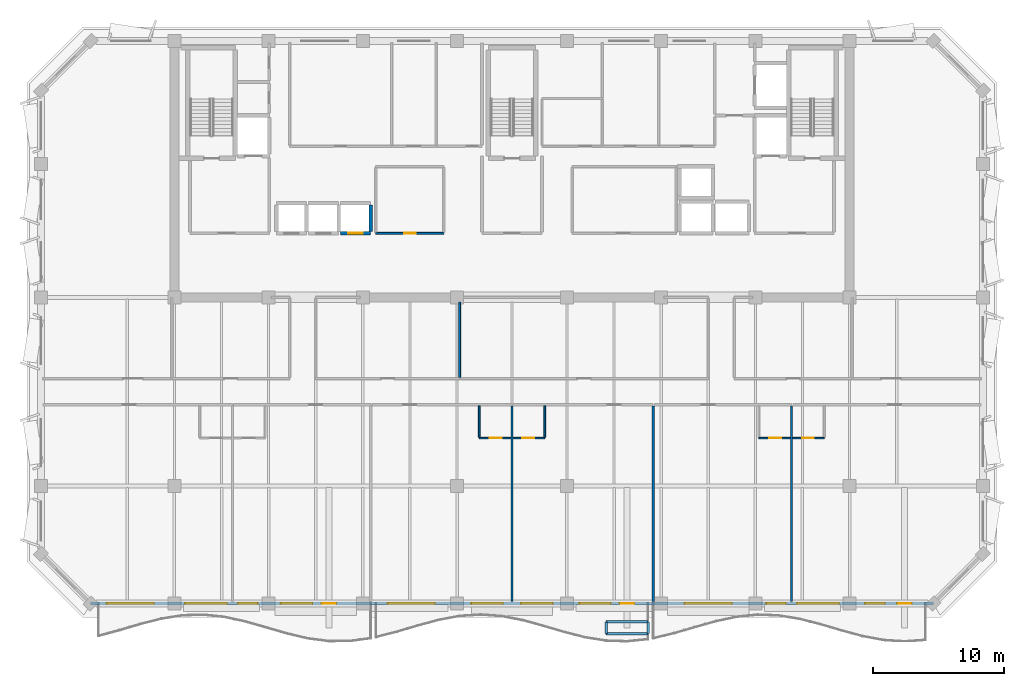
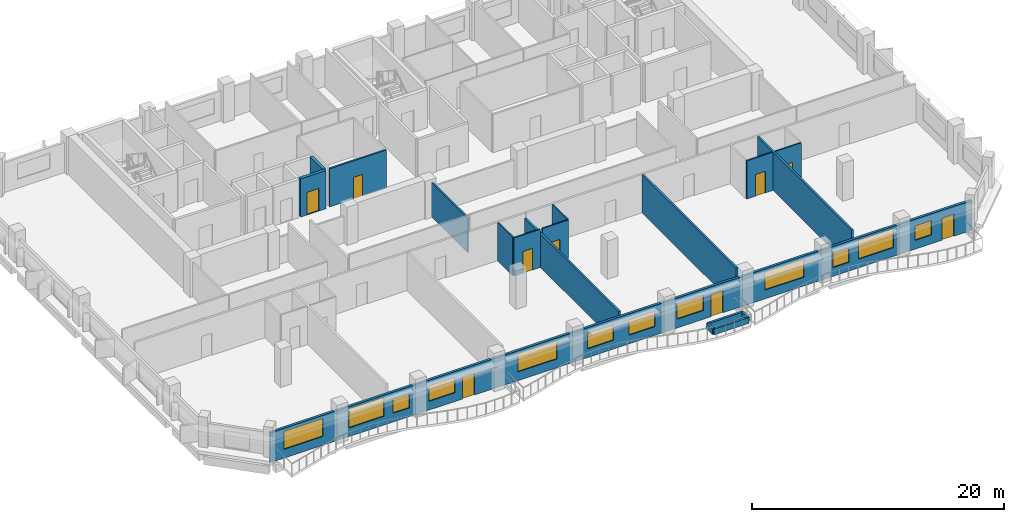
# One storey, part 4 of 10: 18 walls, 12 windows, 9 doors, 21 openings.
"""IFC4 building model written with IfcOpenShell, lengths in metres."""

from ifc_helpers import new_model, si_unit, direction, frame, frame_2d, origin, place, context, subcontext, project, spatial, rectangle, extrude, material, layer, layer_set, type_object, element, fill, save


model = new_model("IFC4")

# Units and contexts
model_context = context("Model", 3, precision=1e-05, world=origin(), true_north=direction((0.0, 1.0)))
body_context = subcontext(model_context, "Body", "Model", "MODEL_VIEW")
ifc_project = project(units=[si_unit("LENGTHUNIT", "METRE"), si_unit("AREAUNIT", "SQUARE_METRE"), si_unit("VOLUMEUNIT", "CUBIC_METRE"), si_unit("PLANEANGLEUNIT", "RADIAN"), si_unit("MASSUNIT", "GRAM", prefix="KILO")], contexts=[model_context])

# Site, building, storey
site_placement = place(None, origin())
site = spatial("IfcSite", under=ifc_project, at=site_placement, CompositionType="ELEMENT")
building_placement = place(site_placement, origin())
building = spatial("IfcBuilding", under=site, at=building_placement, Name="Kaelvorn Grand Hotel", CompositionType="ELEMENT")
storey_placement = place(building_placement, frame((0.0, 0.0, 264.699951171875)))
storey = spatial("IfcBuildingStorey", under=building, at=storey_placement, Name="L65", CompositionType="ELEMENT", Elevation=264.699951171875)

# Wall, openings, doors, windows
ifc_material_1 = material(Name="Concrete C40/50", Category="concrete")
ifc_layer_1 = layer(ifc_material_1, 0.219970703125)
ifc_layer_set_1 = layer_set([ifc_layer_1], Name="Concrete C40/50")
wall_type_1 = type_object("IfcWallType", Name="WL-EXT-220-C40", PredefinedType="SOLIDWALL", material=ifc_layer_set_1)
wall_1_placement = place(storey_placement, frame((9.800048828125, 6.0, 0.0), z_axis=(0.0, 0.0, 1.0), x_axis=(1.0, 0.0, 0.0)))
wall_1 = element("IfcWall", 1, at=wall_1_placement, inside=storey, type_object=wall_type_1, Name="L65 Exterior Architectural Concrete Wall 01", PredefinedType="SOLIDWALL", context=body_context, shape_type="SweptSolid", body=[
    extrude(rectangle(XDim=64.39990234375, YDim=0.219970703125, at=frame_2d((32.199951171875, 0.0))), origin(), (0.0, 0.0, 1.0), 2.91015625),
])
opening_1_placement = place(wall_1_placement, frame((17.64990234375, 0.0, 0.0)))
opening_1 = element("IfcOpeningElement", 2, at=opening_1_placement, cuts=wall_1, Name="Opening DE2", PredefinedType="OPENING", context=body_context, shape_type="SweptSolid", body=[
    extrude(rectangle(XDim=1.10009765625, YDim=2.14990234375, at=frame_2d((0.550048828125, 1.074951171875))), frame((0.0, 0.1201171875, 0.0), z_axis=(0.0, -1.0, 0.0), x_axis=(1.0, 0.0, 0.0)), (0.0, 0.0, 1.0), 0.239990234375),
])
opening_2_placement = place(wall_1_placement, frame((40.449951171875, 0.0, 0.0)))
opening_2 = element("IfcOpeningElement", 3, at=opening_2_placement, cuts=wall_1, Name="Opening DE2", PredefinedType="OPENING", context=body_context, shape_type="SweptSolid", body=[
    extrude(rectangle(XDim=1.10009765625, YDim=2.14990234375, at=frame_2d((0.550048828125, 1.074951171875))), frame((0.0, 0.1201171875, 0.0), z_axis=(0.0, -1.0, 0.0), x_axis=(1.0, 0.0, 0.0)), (0.0, 0.0, 1.0), 0.239990234375),
])
opening_3_placement = place(wall_1_placement, frame((61.64990234375, 0.0, 0.0)))
opening_3 = element("IfcOpeningElement", 4, at=opening_3_placement, cuts=wall_1, Name="Opening DE2", PredefinedType="OPENING", context=body_context, shape_type="SweptSolid", body=[
    extrude(rectangle(XDim=1.10009765625, YDim=2.14990234375, at=frame_2d((0.550048828125, 1.074951171875))), frame((0.0, 0.1201171875, 0.0), z_axis=(0.0, -1.0, 0.0), x_axis=(1.0, 0.0, 0.0)), (0.0, 0.0, 1.0), 0.239990234375),
])
opening_4_placement = place(wall_1_placement, frame((1.235107421875, 0.0, 0.85009765625)))
opening_4 = element("IfcOpeningElement", 5, at=opening_4_placement, cuts=wall_1, Name="Opening W3", PredefinedType="OPENING", context=body_context, shape_type="SweptSolid", body=[
    extrude(rectangle(XDim=3.60009765625, YDim=1.75, at=frame_2d((1.800048828125, 0.875))), frame((0.0, 0.1201171875, 0.0), z_axis=(0.0, -1.0, 0.0), x_axis=(1.0, 0.0, 0.0)), (0.0, 0.0, 1.0), 0.239990234375),
])
opening_5_placement = place(wall_1_placement, frame((7.216552734375, 0.0, 0.85009765625)))
opening_5 = element("IfcOpeningElement", 6, at=opening_5_placement, cuts=wall_1, Name="Opening W4", PredefinedType="OPENING", context=body_context, shape_type="SweptSolid", body=[
    extrude(rectangle(XDim=3.199951171875, YDim=1.85009765625, at=frame_2d((1.60009765625, 0.925048828125))), frame((0.0, 0.1201171875, 0.0), z_axis=(0.0, -1.0, 0.0), x_axis=(1.0, 0.0, 0.0)), (0.0, 0.0, 1.0), 0.239990234375),
])
opening_6_placement = place(wall_1_placement, frame((11.2666015625, 0.0, 0.85009765625)))
opening_6 = element("IfcOpeningElement", 7, at=opening_6_placement, cuts=wall_1, Name="Opening W10", PredefinedType="OPENING", context=body_context, shape_type="SweptSolid", body=[
    extrude(rectangle(XDim=1.5, YDim=1.39990234375, at=frame_2d((0.75, 0.699951171875))), frame((0.0, 0.1201171875, 0.0), z_axis=(0.0, -1.0, 0.0), x_axis=(1.0, 0.0, 0.0)), (0.0, 0.0, 1.0), 0.239990234375),
])
opening_7_placement = place(wall_1_placement, frame((14.5400390625, 0.0, 0.85009765625)))
opening_7 = element("IfcOpeningElement", 8, at=opening_7_placement, cuts=wall_1, Name="Opening W6", PredefinedType="OPENING", context=body_context, shape_type="SweptSolid", body=[
    extrude(rectangle(XDim=2.39990234375, YDim=1.5, at=frame_2d((1.199951171875, 0.75))), frame((0.0, 0.1201171875, 0.0), z_axis=(0.0, -1.0, 0.0), x_axis=(1.0, 0.0, 0.0)), (0.0, 0.0, 1.0), 0.239990234375),
])
opening_8_placement = place(wall_1_placement, frame((22.70849609375, 0.0, 0.85009765625)))
opening_8 = element("IfcOpeningElement", 9, at=opening_8_placement, cuts=wall_1, Name="Opening W3", PredefinedType="OPENING", context=body_context, shape_type="SweptSolid", body=[
    extrude(rectangle(XDim=3.60009765625, YDim=1.75, at=frame_2d((1.800048828125, 0.875))), frame((0.0, 0.1201171875, 0.0), z_axis=(0.0, -1.0, 0.0), x_axis=(1.0, 0.0, 0.0)), (0.0, 0.0, 1.0), 0.239990234375),
])
opening_9_placement = place(wall_1_placement, frame((29.10009765625, 0.0, 0.85009765625)))
opening_9 = element("IfcOpeningElement", 10, at=opening_9_placement, cuts=wall_1, Name="Opening W6", PredefinedType="OPENING", context=body_context, shape_type="SweptSolid", body=[
    extrude(rectangle(XDim=2.39990234375, YDim=1.5, at=frame_2d((1.199951171875, 0.75))), frame((0.0, 0.1201171875, 0.0), z_axis=(0.0, -1.0, 0.0), x_axis=(1.0, 0.0, 0.0)), (0.0, 0.0, 1.0), 0.239990234375),
])
opening_10_placement = place(wall_1_placement, frame((32.89990234375, 0.0, 0.85009765625)))
opening_10 = element("IfcOpeningElement", 11, at=opening_10_placement, cuts=wall_1, Name="Opening W6", PredefinedType="OPENING", context=body_context, shape_type="SweptSolid", body=[
    extrude(rectangle(XDim=2.39990234375, YDim=1.5, at=frame_2d((1.199951171875, 0.75))), frame((0.0, 0.1201171875, 0.0), z_axis=(0.0, -1.0, 0.0), x_axis=(1.0, 0.0, 0.0)), (0.0, 0.0, 1.0), 0.239990234375),
])
opening_11_placement = place(wall_1_placement, frame((37.340087890625, 0.0, 0.85009765625)))
opening_11 = element("IfcOpeningElement", 12, at=opening_11_placement, cuts=wall_1, Name="Opening W6", PredefinedType="OPENING", context=body_context, shape_type="SweptSolid", body=[
    extrude(rectangle(XDim=2.39990234375, YDim=1.5, at=frame_2d((1.199951171875, 0.75))), frame((0.0, 0.1201171875, 0.0), z_axis=(0.0, -1.0, 0.0), x_axis=(1.0, 0.0, 0.0)), (0.0, 0.0, 1.0), 0.239990234375),
])
opening_12_placement = place(wall_1_placement, frame((45.39990234375, 0.0, 0.85009765625)))
opening_12 = element("IfcOpeningElement", 13, at=opening_12_placement, cuts=wall_1, Name="Opening W3", PredefinedType="OPENING", context=body_context, shape_type="SweptSolid", body=[
    extrude(rectangle(XDim=3.60009765625, YDim=1.75, at=frame_2d((1.800048828125, 0.875))), frame((0.0, 0.1201171875, 0.0), z_axis=(0.0, -1.0, 0.0), x_axis=(1.0, 0.0, 0.0)), (0.0, 0.0, 1.0), 0.239990234375),
])
opening_13_placement = place(wall_1_placement, frame((51.633544921875, 0.0, 0.85009765625)))
opening_13 = element("IfcOpeningElement", 14, at=opening_13_placement, cuts=wall_1, Name="Opening W10", PredefinedType="OPENING", context=body_context, shape_type="SweptSolid", body=[
    extrude(rectangle(XDim=1.5, YDim=1.39990234375, at=frame_2d((0.75, 0.699951171875))), frame((0.0, 0.1201171875, 0.0), z_axis=(0.0, -1.0, 0.0), x_axis=(1.0, 0.0, 0.0)), (0.0, 0.0, 1.0), 0.239990234375),
])
opening_14_placement = place(wall_1_placement, frame((53.9833984375, 0.0, 0.85009765625)))
opening_14 = element("IfcOpeningElement", 15, at=opening_14_placement, cuts=wall_1, Name="Opening W4", PredefinedType="OPENING", context=body_context, shape_type="SweptSolid", body=[
    extrude(rectangle(XDim=3.199951171875, YDim=1.85009765625, at=frame_2d((1.60009765625, 0.925048828125))), frame((0.0, 0.1201171875, 0.0), z_axis=(0.0, -1.0, 0.0), x_axis=(1.0, 0.0, 0.0)), (0.0, 0.0, 1.0), 0.239990234375),
])
opening_15_placement = place(wall_1_placement, frame((59.18994140625, 0.0, 0.85009765625)))
opening_15 = element("IfcOpeningElement", 16, at=opening_15_placement, cuts=wall_1, Name="Opening W10", PredefinedType="OPENING", context=body_context, shape_type="SweptSolid", body=[
    extrude(rectangle(XDim=1.5, YDim=1.39990234375, at=frame_2d((0.75, 0.699951171875))), frame((0.0, 0.1201171875, 0.0), z_axis=(0.0, -1.0, 0.0), x_axis=(1.0, 0.0, 0.0)), (0.0, 0.0, 1.0), 0.239990234375),
])
ifc_material_2 = material(Name="Anodised Aluminium", Category="aluminium")
door_type_1 = type_object("IfcDoorType", Name="DR-EXT-BALC-1100x2150", OperationType="NOTDEFINED", PredefinedType="DOOR", material=ifc_material_2)
door_1_placement = place(opening_1_placement, origin())
door_1 = element("IfcDoor", 17, at=door_1_placement, inside=storey, type_object=door_type_1, Name="L65 Scalloped Balcony Glazed Door DE2-1", OperationType="SINGLE_SWING_RIGHT", OverallHeight=2.14990234375, OverallWidth=1.10009765625, PredefinedType="DOOR", context=body_context, shape_type="SweptSolid", body=[
    extrude(rectangle(XDim=1.10009765625, YDim=2.14990234375, at=frame_2d((0.550048828125, 1.074951171875))), frame((0.0, 0.02490234375, 0.0), z_axis=(0.0, -1.0, 0.0), x_axis=(1.0, 0.0, 0.0)), (0.0, 0.0, 1.0), 0.050048828125),
])
fill(opening_1, door_1)
door_2_placement = place(opening_2_placement, origin())
door_2 = element("IfcDoor", 18, at=door_2_placement, inside=storey, type_object=door_type_1, Name="L65 Scalloped Balcony Glazed Door DE2-2", OperationType="SINGLE_SWING_LEFT", OverallHeight=2.14990234375, OverallWidth=1.10009765625, PredefinedType="DOOR", context=body_context, shape_type="SweptSolid", body=[
    extrude(rectangle(XDim=1.10009765625, YDim=2.14990234375, at=frame_2d((0.550048828125, 1.074951171875))), frame((0.0, 0.02490234375, 0.0), z_axis=(0.0, -1.0, 0.0), x_axis=(1.0, 0.0, 0.0)), (0.0, 0.0, 1.0), 0.050048828125),
])
fill(opening_2, door_2)
door_3_placement = place(opening_3_placement, origin())
door_3 = element("IfcDoor", 19, at=door_3_placement, inside=storey, type_object=door_type_1, Name="L65 Scalloped Balcony Glazed Door DE2-3", OperationType="SINGLE_SWING_RIGHT", OverallHeight=2.14990234375, OverallWidth=1.10009765625, PredefinedType="DOOR", context=body_context, shape_type="SweptSolid", body=[
    extrude(rectangle(XDim=1.10009765625, YDim=2.14990234375, at=frame_2d((0.550048828125, 1.074951171875))), frame((0.0, 0.02490234375, 0.0), z_axis=(0.0, -1.0, 0.0), x_axis=(1.0, 0.0, 0.0)), (0.0, 0.0, 1.0), 0.050048828125),
])
fill(opening_3, door_3)
ifc_material_3 = material(Name="Laminated Low-E Glass", Category="glass")
window_type_1 = type_object("IfcWindowType", Name="WIN-COR-1500x1400", PartitioningType="SINGLE_PANEL", PredefinedType="WINDOW", material=ifc_material_3)
window_1_placement = place(opening_6_placement, origin())
window_1 = element("IfcWindow", 20, at=window_1_placement, inside=storey, type_object=window_type_1, Name="L65 South Guestroom Ribbon Window SR03", OverallHeight=1.39990234375, OverallWidth=1.5, PartitioningType="SINGLE_PANEL", PredefinedType="WINDOW", context=body_context, shape_type="SweptSolid", body=[
    extrude(rectangle(XDim=1.5, YDim=1.39990234375, at=frame_2d((0.75, 0.699951171875))), frame((0.0, 0.030029296875, 0.0), z_axis=(0.0, -1.0, 0.0), x_axis=(1.0, 0.0, 0.0)), (0.0, 0.0, 1.0), 0.06005859375),
])
fill(opening_6, window_1)
window_2_placement = place(opening_13_placement, origin())
window_2 = element("IfcWindow", 21, at=window_2_placement, inside=storey, type_object=window_type_1, Name="L65 South Guestroom Ribbon Window SR10", OverallHeight=1.39990234375, OverallWidth=1.5, PartitioningType="SINGLE_PANEL", PredefinedType="WINDOW", context=body_context, shape_type="SweptSolid", body=[
    extrude(rectangle(XDim=1.5, YDim=1.39990234375, at=frame_2d((0.75, 0.699951171875))), frame((0.0, 0.030029296875, 0.0), z_axis=(0.0, -1.0, 0.0), x_axis=(1.0, 0.0, 0.0)), (0.0, 0.0, 1.0), 0.06005859375),
])
fill(opening_13, window_2)
window_3_placement = place(opening_15_placement, origin())
window_3 = element("IfcWindow", 22, at=window_3_placement, inside=storey, type_object=window_type_1, Name="L65 South Guestroom Ribbon Window SR12", OverallHeight=1.39990234375, OverallWidth=1.5, PartitioningType="SINGLE_PANEL", PredefinedType="WINDOW", context=body_context, shape_type="SweptSolid", body=[
    extrude(rectangle(XDim=1.5, YDim=1.39990234375, at=frame_2d((0.75, 0.699951171875))), frame((0.0, 0.030029296875, 0.0), z_axis=(0.0, -1.0, 0.0), x_axis=(1.0, 0.0, 0.0)), (0.0, 0.0, 1.0), 0.06005859375),
])
fill(opening_15, window_3)
window_type_2 = type_object("IfcWindowType", Name="WIN-NTH-2400x1500", PartitioningType="SINGLE_PANEL", PredefinedType="WINDOW", material=ifc_material_3)
window_4_placement = place(opening_7_placement, origin())
window_4 = element("IfcWindow", 23, at=window_4_placement, inside=storey, type_object=window_type_2, Name="L65 South Guestroom Ribbon Window SR04", OverallHeight=1.5, OverallWidth=2.39990234375, PartitioningType="SINGLE_PANEL", PredefinedType="WINDOW", context=body_context, shape_type="SweptSolid", body=[
    extrude(rectangle(XDim=2.39990234375, YDim=1.5, at=frame_2d((1.199951171875, 0.75))), frame((0.0, 0.030029296875, 0.0), z_axis=(0.0, -1.0, 0.0), x_axis=(1.0, 0.0, 0.0)), (0.0, 0.0, 1.0), 0.06005859375),
])
fill(opening_7, window_4)
window_5_placement = place(opening_9_placement, origin())
window_5 = element("IfcWindow", 24, at=window_5_placement, inside=storey, type_object=window_type_2, Name="L65 South Guestroom Ribbon Window SR06", OverallHeight=1.5, OverallWidth=2.39990234375, PartitioningType="SINGLE_PANEL", PredefinedType="WINDOW", context=body_context, shape_type="SweptSolid", body=[
    extrude(rectangle(XDim=2.39990234375, YDim=1.5, at=frame_2d((1.199951171875, 0.75))), frame((0.0, 0.030029296875, 0.0), z_axis=(0.0, -1.0, 0.0), x_axis=(1.0, 0.0, 0.0)), (0.0, 0.0, 1.0), 0.06005859375),
])
fill(opening_9, window_5)
window_6_placement = place(opening_10_placement, origin())
window_6 = element("IfcWindow", 25, at=window_6_placement, inside=storey, type_object=window_type_2, Name="L65 South Guestroom Ribbon Window SR07", OverallHeight=1.5, OverallWidth=2.39990234375, PartitioningType="SINGLE_PANEL", PredefinedType="WINDOW", context=body_context, shape_type="SweptSolid", body=[
    extrude(rectangle(XDim=2.39990234375, YDim=1.5, at=frame_2d((1.199951171875, 0.75))), frame((0.0, 0.030029296875, 0.0), z_axis=(0.0, -1.0, 0.0), x_axis=(1.0, 0.0, 0.0)), (0.0, 0.0, 1.0), 0.06005859375),
])
fill(opening_10, window_6)
window_7_placement = place(opening_11_placement, origin())
window_7 = element("IfcWindow", 26, at=window_7_placement, inside=storey, type_object=window_type_2, Name="L65 South Guestroom Ribbon Window SR08", OverallHeight=1.5, OverallWidth=2.39990234375, PartitioningType="SINGLE_PANEL", PredefinedType="WINDOW", context=body_context, shape_type="SweptSolid", body=[
    extrude(rectangle(XDim=2.39990234375, YDim=1.5, at=frame_2d((1.199951171875, 0.75))), frame((0.0, 0.030029296875, 0.0), z_axis=(0.0, -1.0, 0.0), x_axis=(1.0, 0.0, 0.0)), (0.0, 0.0, 1.0), 0.06005859375),
])
fill(opening_11, window_7)
window_type_3 = type_object("IfcWindowType", Name="WIN-RIB-3200x1850", PartitioningType="SINGLE_PANEL", PredefinedType="WINDOW", material=ifc_material_3)
window_8_placement = place(opening_5_placement, origin())
window_8 = element("IfcWindow", 27, at=window_8_placement, inside=storey, type_object=window_type_3, Name="L65 South Guestroom Ribbon Window SR02", OverallHeight=1.85009765625, OverallWidth=3.199951171875, PartitioningType="SINGLE_PANEL", PredefinedType="WINDOW", context=body_context, shape_type="SweptSolid", body=[
    extrude(rectangle(XDim=3.199951171875, YDim=1.85009765625, at=frame_2d((1.60009765625, 0.925048828125))), frame((0.0, 0.030029296875, 0.0), z_axis=(0.0, -1.0, 0.0), x_axis=(1.0, 0.0, 0.0)), (0.0, 0.0, 1.0), 0.06005859375),
])
fill(opening_5, window_8)
window_9_placement = place(opening_14_placement, origin())
window_9 = element("IfcWindow", 28, at=window_9_placement, inside=storey, type_object=window_type_3, Name="L65 South Guestroom Ribbon Window SR11", OverallHeight=1.85009765625, OverallWidth=3.199951171875, PartitioningType="SINGLE_PANEL", PredefinedType="WINDOW", context=body_context, shape_type="SweptSolid", body=[
    extrude(rectangle(XDim=3.199951171875, YDim=1.85009765625, at=frame_2d((1.60009765625, 0.925048828125))), frame((0.0, 0.030029296875, 0.0), z_axis=(0.0, -1.0, 0.0), x_axis=(1.0, 0.0, 0.0)), (0.0, 0.0, 1.0), 0.06005859375),
])
fill(opening_14, window_9)
window_type_4 = type_object("IfcWindowType", Name="WIN-RIB-3600x1750", PartitioningType="SINGLE_PANEL", PredefinedType="WINDOW", material=ifc_material_3)
window_10_placement = place(opening_4_placement, origin())
window_10 = element("IfcWindow", 29, at=window_10_placement, inside=storey, type_object=window_type_4, Name="L65 South Guestroom Ribbon Window SR01", OverallHeight=1.75, OverallWidth=3.60009765625, PartitioningType="SINGLE_PANEL", PredefinedType="WINDOW", context=body_context, shape_type="SweptSolid", body=[
    extrude(rectangle(XDim=3.60009765625, YDim=1.75, at=frame_2d((1.800048828125, 0.875))), frame((0.0, 0.030029296875, 0.0), z_axis=(0.0, -1.0, 0.0), x_axis=(1.0, 0.0, 0.0)), (0.0, 0.0, 1.0), 0.06005859375),
])
fill(opening_4, window_10)
window_11_placement = place(opening_8_placement, origin())
window_11 = element("IfcWindow", 30, at=window_11_placement, inside=storey, type_object=window_type_4, Name="L65 South Guestroom Ribbon Window SR05", OverallHeight=1.75, OverallWidth=3.60009765625, PartitioningType="SINGLE_PANEL", PredefinedType="WINDOW", context=body_context, shape_type="SweptSolid", body=[
    extrude(rectangle(XDim=3.60009765625, YDim=1.75, at=frame_2d((1.800048828125, 0.875))), frame((0.0, 0.030029296875, 0.0), z_axis=(0.0, -1.0, 0.0), x_axis=(1.0, 0.0, 0.0)), (0.0, 0.0, 1.0), 0.06005859375),
])
fill(opening_8, window_11)
window_12_placement = place(opening_12_placement, origin())
window_12 = element("IfcWindow", 31, at=window_12_placement, inside=storey, type_object=window_type_4, Name="L65 South Guestroom Ribbon Window SR09", OverallHeight=1.75, OverallWidth=3.60009765625, PartitioningType="SINGLE_PANEL", PredefinedType="WINDOW", context=body_context, shape_type="SweptSolid", body=[
    extrude(rectangle(XDim=3.60009765625, YDim=1.75, at=frame_2d((1.800048828125, 0.875))), frame((0.0, 0.030029296875, 0.0), z_axis=(0.0, -1.0, 0.0), x_axis=(1.0, 0.0, 0.0)), (0.0, 0.0, 1.0), 0.06005859375),
])
fill(opening_12, window_12)

# Wall, opening, door
ifc_material_4 = material(Name="Moisture-Resistant Tile & Stud Board")
ifc_layer_2 = layer(ifc_material_4, 0.125)
ifc_layer_set_2 = layer_set([ifc_layer_2], Name="Moisture-Resistant Tile & Stud Board")
wall_type_2 = type_object("IfcWallType", Name="WL-PART-125-WET", PredefinedType="PARTITIONING", material=ifc_layer_set_2)
wall_2_placement = place(storey_placement, frame((39.5, 18.64990234375, 0.0), z_axis=(0.0, 0.0, 1.0), x_axis=(1.0, 0.0, 0.0)))
wall_2 = element("IfcWall", 32, at=wall_2_placement, inside=storey, type_object=wall_type_2, Name="L65 En-suite Bathroom L65-03 S Partition", PredefinedType="PARTITIONING", context=body_context, shape_type="SweptSolid", body=[
    extrude(rectangle(XDim=2.405029296875, YDim=0.125, at=frame_2d((1.20263671875, 0.0))), origin(), (0.0, 0.0, 1.0), 3.7099609375),
])
opening_16_placement = place(wall_2_placement, frame((0.800048828125, 0.0, 0.0)))
opening_16 = element("IfcOpeningElement", 33, at=opening_16_placement, cuts=wall_2, Name="Opening DI4", PredefinedType="OPENING", context=body_context, shape_type="SweptSolid", body=[
    extrude(rectangle(XDim=0.89990234375, YDim=2.10009765625, at=frame_2d((0.449951171875, 1.050048828125))), frame((0.0, 0.072509765625, 0.0), z_axis=(0.0, -1.0, 0.0), x_axis=(1.0, 0.0, 0.0)), (0.0, 0.0, 1.0), 0.14501953125),
])
ifc_material_5 = material(Name="Timber Veneer Leaf", Category="wood")
door_type_2 = type_object("IfcDoorType", Name="DR-INT-BATH-900x2100", OperationType="NOTDEFINED", PredefinedType="DOOR", material=ifc_material_5)
door_4_placement = place(opening_16_placement, origin())
door_4 = element("IfcDoor", 34, at=door_4_placement, inside=storey, type_object=door_type_2, Name="L65 En-suite Bathroom L65-03 Door", OperationType="SINGLE_SWING_LEFT", OverallHeight=2.10009765625, OverallWidth=0.89990234375, PredefinedType="DOOR", context=body_context, shape_type="SweptSolid", body=[
    extrude(rectangle(XDim=0.89990234375, YDim=2.10009765625, at=frame_2d((0.449951171875, 1.050048828125))), frame((0.0, 0.02490234375, 0.0), z_axis=(0.0, -1.0, 0.0), x_axis=(1.0, 0.0, 0.0)), (0.0, 0.0, 1.0), 0.050048828125),
])
fill(opening_16, door_4)

# Wall
wall_3_placement = place(storey_placement, frame((39.5, 18.717529296875, 0.0), z_axis=(0.0, 0.0, 1.0), x_axis=(0.0, 1.0, 0.0)))
element("IfcWall", 35, at=wall_3_placement, inside=storey, type_object=wall_type_2, Name="L65 En-suite Bathroom L65-03 W Partition", PredefinedType="PARTITIONING", context=body_context, shape_type="SweptSolid", body=[
    extrude(rectangle(XDim=2.387451171875, YDim=0.125, at=frame_2d((1.19384765625, 0.0))), origin(), (0.0, 0.0, 1.0), 3.7099609375),
])

# Wall, opening, door
wall_4_placement = place(storey_placement, frame((42.094970703125, 18.64990234375, 0.0), z_axis=(0.0, 0.0, 1.0), x_axis=(1.0, 0.0, 0.0)))
wall_4 = element("IfcWall", 36, at=wall_4_placement, inside=storey, type_object=wall_type_2, Name="L65 En-suite Bathroom L65-04 S Partition", PredefinedType="PARTITIONING", context=body_context, shape_type="SweptSolid", body=[
    extrude(rectangle(XDim=2.405029296875, YDim=0.125, at=frame_2d((1.20263671875, 0.0))), origin(), (0.0, 0.0, 1.0), 3.7099609375),
])
opening_17_placement = place(wall_4_placement, frame((0.705078125, 0.0, 0.0)))
opening_17 = element("IfcOpeningElement", 37, at=opening_17_placement, cuts=wall_4, Name="Opening DI4", PredefinedType="OPENING", context=body_context, shape_type="SweptSolid", body=[
    extrude(rectangle(XDim=0.89990234375, YDim=2.10009765625, at=frame_2d((0.449951171875, 1.050048828125))), frame((0.0, 0.072509765625, 0.0), z_axis=(0.0, -1.0, 0.0), x_axis=(1.0, 0.0, 0.0)), (0.0, 0.0, 1.0), 0.14501953125),
])
door_5_placement = place(opening_17_placement, origin())
door_5 = element("IfcDoor", 38, at=door_5_placement, inside=storey, type_object=door_type_2, Name="L65 En-suite Bathroom L65-04 Door", OperationType="SINGLE_SWING_LEFT", OverallHeight=2.10009765625, OverallWidth=0.89990234375, PredefinedType="DOOR", context=body_context, shape_type="SweptSolid", body=[
    extrude(rectangle(XDim=0.89990234375, YDim=2.10009765625, at=frame_2d((0.449951171875, 1.050048828125))), frame((0.0, 0.02490234375, 0.0), z_axis=(0.0, -1.0, 0.0), x_axis=(1.0, 0.0, 0.0)), (0.0, 0.0, 1.0), 0.050048828125),
])
fill(opening_17, door_5)

# Wall
wall_5_placement = place(storey_placement, frame((44.5, 18.717529296875, 0.0), z_axis=(0.0, 0.0, 1.0), x_axis=(0.0, 1.0, 0.0)))
element("IfcWall", 39, at=wall_5_placement, inside=storey, type_object=wall_type_2, Name="L65 En-suite Bathroom L65-04 E Partition", PredefinedType="PARTITIONING", context=body_context, shape_type="SweptSolid", body=[
    extrude(rectangle(XDim=2.387451171875, YDim=0.125, at=frame_2d((1.19384765625, 0.0))), origin(), (0.0, 0.0, 1.0), 3.7099609375),
])

# Wall, opening, door
wall_6_placement = place(storey_placement, frame((60.86669921875, 18.64990234375, 0.0), z_axis=(0.0, 0.0, 1.0), x_axis=(1.0, 0.0, 0.0)))
wall_6 = element("IfcWall", 40, at=wall_6_placement, inside=storey, type_object=wall_type_2, Name="L65 En-suite Bathroom L65-05 S Partition", PredefinedType="PARTITIONING", context=body_context, shape_type="SweptSolid", body=[
    extrude(rectangle(XDim=2.40478515625, YDim=0.125, at=frame_2d((1.202392578125, 0.0))), origin(), (0.0, 0.0, 1.0), 3.7099609375),
])
opening_18_placement = place(wall_6_placement, frame((0.800048828125, 0.0, 0.0)))
opening_18 = element("IfcOpeningElement", 41, at=opening_18_placement, cuts=wall_6, Name="Opening DI4", PredefinedType="OPENING", context=body_context, shape_type="SweptSolid", body=[
    extrude(rectangle(XDim=0.89990234375, YDim=2.10009765625, at=frame_2d((0.449951171875, 1.050048828125))), frame((0.0, 0.072509765625, 0.0), z_axis=(0.0, -1.0, 0.0), x_axis=(1.0, 0.0, 0.0)), (0.0, 0.0, 1.0), 0.14501953125),
])
door_6_placement = place(opening_18_placement, origin())
door_6 = element("IfcDoor", 42, at=door_6_placement, inside=storey, type_object=door_type_2, Name="L65 En-suite Bathroom L65-05 Door", OperationType="SINGLE_SWING_LEFT", OverallHeight=2.10009765625, OverallWidth=0.89990234375, PredefinedType="DOOR", context=body_context, shape_type="SweptSolid", body=[
    extrude(rectangle(XDim=0.89990234375, YDim=2.10009765625, at=frame_2d((0.449951171875, 1.050048828125))), frame((0.0, 0.02490234375, 0.0), z_axis=(0.0, -1.0, 0.0), x_axis=(1.0, 0.0, 0.0)), (0.0, 0.0, 1.0), 0.050048828125),
])
fill(opening_18, door_6)

wall_7_placement = place(storey_placement, frame((63.461669921875, 18.64990234375, 0.0), z_axis=(0.0, 0.0, 1.0), x_axis=(1.0, 0.0, 0.0)))
wall_7 = element("IfcWall", 43, at=wall_7_placement, inside=storey, type_object=wall_type_2, Name="L65 En-suite Bathroom L65-06 S Partition", PredefinedType="PARTITIONING", context=body_context, shape_type="SweptSolid", body=[
    extrude(rectangle(XDim=2.405029296875, YDim=0.125, at=frame_2d((1.20263671875, 0.0))), origin(), (0.0, 0.0, 1.0), 3.7099609375),
])
opening_19_placement = place(wall_7_placement, frame((0.705078125, 0.0, 0.0)))
opening_19 = element("IfcOpeningElement", 44, at=opening_19_placement, cuts=wall_7, Name="Opening DI4", PredefinedType="OPENING", context=body_context, shape_type="SweptSolid", body=[
    extrude(rectangle(XDim=0.89990234375, YDim=2.10009765625, at=frame_2d((0.449951171875, 1.050048828125))), frame((0.0, 0.072509765625, 0.0), z_axis=(0.0, -1.0, 0.0), x_axis=(1.0, 0.0, 0.0)), (0.0, 0.0, 1.0), 0.14501953125),
])
door_7_placement = place(opening_19_placement, origin())
door_7 = element("IfcDoor", 45, at=door_7_placement, inside=storey, type_object=door_type_2, Name="L65 En-suite Bathroom L65-06 Door", OperationType="SINGLE_SWING_LEFT", OverallHeight=2.10009765625, OverallWidth=0.89990234375, PredefinedType="DOOR", context=body_context, shape_type="SweptSolid", body=[
    extrude(rectangle(XDim=0.89990234375, YDim=2.10009765625, at=frame_2d((0.449951171875, 1.050048828125))), frame((0.0, 0.02490234375, 0.0), z_axis=(0.0, -1.0, 0.0), x_axis=(1.0, 0.0, 0.0)), (0.0, 0.0, 1.0), 0.050048828125),
])
fill(opening_19, door_7)

ifc_material_6 = material(Name="Acoustic Gypsum & Stud Partition")
ifc_layer_3 = layer(ifc_material_6, 0.14990234375)
ifc_layer_set_3 = layer_set([ifc_layer_3], Name="Acoustic Gypsum & Stud Partition")
wall_type_3 = type_object("IfcWallType", Name="WL-PART-150-EI60", PredefinedType="PARTITIONING", material=ifc_layer_set_3)
wall_8_placement = place(storey_placement, frame((31.60009765625, 34.300048828125, 0.0), z_axis=(0.0, 0.0, 1.0), x_axis=(1.0, 0.0, 0.0)))
wall_8 = element("IfcWall", 46, at=wall_8_placement, inside=storey, type_object=wall_type_3, Name="L65 Core Telecoms & BMS Server Room S Partition", PredefinedType="PARTITIONING", context=body_context, shape_type="SweptSolid", body=[
    extrude(rectangle(XDim=5.199951171875, YDim=0.14990234375, at=frame_2d((2.60009765625, 0.0))), origin(), (0.0, 0.0, 1.0), 3.7099609375),
])
opening_20_placement = place(wall_8_placement, frame((2.175048828125, 0.0, 0.0)))
opening_20 = element("IfcOpeningElement", 47, at=opening_20_placement, cuts=wall_8, Name="Opening DI7", PredefinedType="OPENING", context=body_context, shape_type="SweptSolid", body=[
    extrude(rectangle(XDim=0.85009765625, YDim=2.10009765625, at=frame_2d((0.425048828125, 1.050048828125))), frame((0.0, 0.0849609375, 0.0), z_axis=(0.0, -1.0, 0.0), x_axis=(1.0, 0.0, 0.0)), (0.0, 0.0, 1.0), 0.169921875),
])
ifc_material_7 = material(Name="Powder-Coated Steel Leaf", Category="steel")
door_type_3 = type_object("IfcDoorType", Name="DR-INT-RISER-850x2100", OperationType="NOTDEFINED", PredefinedType="DOOR", material=ifc_material_7)
door_8_placement = place(opening_20_placement, origin())
door_8 = element("IfcDoor", 48, at=door_8_placement, inside=storey, type_object=door_type_3, Name="L65 Core Telecoms & BMS Server Room Door", OperationType="SINGLE_SWING_RIGHT", OverallHeight=2.10009765625, OverallWidth=0.85009765625, PredefinedType="DOOR", context=body_context, shape_type="SweptSolid", body=[
    extrude(rectangle(XDim=0.85009765625, YDim=2.10009765625, at=frame_2d((0.425048828125, 1.050048828125))), frame((0.0, 0.02490234375, 0.0), z_axis=(0.0, -1.0, 0.0), x_axis=(1.0, 0.0, 0.0)), (0.0, 0.0, 1.0), 0.050048828125),
])
fill(opening_20, door_8)

# Walls
wall_9_placement = place(storey_placement, frame((38.0, 23.280029296875, 0.0), z_axis=(0.0, 0.0, 1.0), x_axis=(0.0, 1.0, 0.0)))
element("IfcWall", 49, at=wall_9_placement, inside=storey, type_object=wall_type_3, Name="L65 Chef Finishing Kitchen E Partition", PredefinedType="PARTITIONING", context=body_context, shape_type="SweptSolid", body=[
    extrude(rectangle(XDim=5.764892578125, YDim=0.14990234375, at=frame_2d((2.88232421875, 0.0))), origin(), (0.0, 0.0, 1.0), 3.35009765625),
])
ifc_layer_4 = layer(ifc_material_6, 0.179931640625)
ifc_layer_set_4 = layer_set([ifc_layer_4], Name="Acoustic Gypsum & Stud Partition")
wall_type_4 = type_object("IfcWallType", Name="WL-PART-180-EI60", PredefinedType="PARTITIONING", material=ifc_layer_set_4)
wall_10_placement = place(storey_placement, frame((42.0, 6.14990234375, 0.0), z_axis=(0.0, 0.0, 1.0), x_axis=(0.0, 1.0, 0.0)))
element("IfcWall", 50, at=wall_10_placement, inside=storey, type_object=wall_type_4, Name="L65 Ambassador Junior Suite L65-03 E Partition", PredefinedType="PARTITIONING", context=body_context, shape_type="SweptSolid", body=[
    extrude(rectangle(XDim=14.955078125, YDim=0.179931640625, at=frame_2d((7.4775390625, 0.0))), origin(), (0.0, 0.0, 1.0), 3.260009765625),
])
for number, where, z_axis, x_axis, name in (
    (51, (52.783203125, 6.14990234375, 0.0), (0.0, 0.0, 1.0), (0.0, 1.0, 0.0), "L65 Ambassador Junior Suite L65-04 E Partition"),
    (52, (63.36669921875, 6.14990234375, 0.0), (0.0, 0.0, 1.0), (0.0, 1.0, 0.0), "L65 Ambassador Junior Suite L65-05 E Partition"),
):
    element("IfcWall", number, at=place(storey_placement, frame(where, z_axis=z_axis, x_axis=x_axis)), inside=storey, type_object=wall_type_4, Name=name, PredefinedType="PARTITIONING", context=body_context, shape_type="SweptSolid", body=[
        extrude(rectangle(XDim=14.955078125, YDim=0.179931640625, at=frame_2d((7.4775390625, 0.0))), origin(), (0.0, 0.0, 1.0), 3.7099609375),
    ])

# Wall, opening, door
ifc_material_8 = material(Name="Concrete C50/60", Category="concrete")
ifc_layer_5 = layer(ifc_material_8, 0.280029296875)
ifc_layer_set_5 = layer_set([ifc_layer_5], Name="Concrete C50/60")
wall_type_5 = type_object("IfcWallType", Name="WL-SHAFT-280-C50", PredefinedType="SHEAR", material=ifc_layer_set_5)
wall_11_placement = place(storey_placement, frame((28.89990234375, 34.300048828125, 0.0), z_axis=(0.0, 0.0, 1.0), x_axis=(1.0, 0.0, 0.0)))
wall_11 = element("IfcWall", 53, at=wall_11_placement, inside=storey, type_object=wall_type_5, Name="L65 Lift PL-H3 Shaft South Wall", PredefinedType="SHEAR", context=body_context, shape_type="SweptSolid", body=[
    extrude(rectangle(XDim=2.300048828125, YDim=0.280029296875, at=frame_2d((1.14990234375, 0.0))), origin(), (0.0, 0.0, 1.0), 3.7099609375),
])
opening_21_placement = place(wall_11_placement, frame((0.60009765625, 0.0, 0.0)))
opening_21 = element("IfcOpeningElement", 54, at=opening_21_placement, cuts=wall_11, Name="Opening LD-PL-H3", PredefinedType="OPENING", context=body_context, shape_type="SweptSolid", body=[
    extrude(rectangle(XDim=1.10009765625, YDim=2.199951171875, at=frame_2d((0.550048828125, 1.10009765625))), frame((0.0, 0.14990234375, 0.0), z_axis=(0.0, -1.0, 0.0), x_axis=(1.0, 0.0, 0.0)), (0.0, 0.0, 1.0), 0.300048828125),
])
ifc_material_9 = material(Name="Stainless Steel", Category="steel")
door_type_4 = type_object("IfcDoorType", Name="DR-LIFT-PASS-1100x2200", OperationType="DOUBLE_DOOR_SLIDING", PredefinedType="DOOR", material=ifc_material_9)
door_9_placement = place(opening_21_placement, origin())
door_9 = element("IfcDoor", 55, at=door_9_placement, inside=storey, type_object=door_type_4, Name="L65 Lift PL-H3 Sliding Landing Door LD-PL-H3", OperationType="DOUBLE_DOOR_SLIDING", OverallHeight=2.199951171875, OverallWidth=1.10009765625, PredefinedType="DOOR", context=body_context, shape_type="SweptSolid", body=[
    extrude(rectangle(XDim=1.10009765625, YDim=2.199951171875, at=frame_2d((0.550048828125, 1.10009765625))), frame((0.0, 0.02490234375, 0.0), z_axis=(0.0, -1.0, 0.0), x_axis=(1.0, 0.0, 0.0)), (0.0, 0.0, 1.0), 0.050048828125),
])
fill(opening_21, door_9)

# Walls
wall_12_placement = place(storey_placement, frame((31.199951171875, 34.445068359375, 0.0), z_axis=(0.0, 0.0, 1.0), x_axis=(0.0, 1.0, 0.0)))
element("IfcWall", 56, at=wall_12_placement, inside=storey, type_object=wall_type_5, Name="L65 Lift PL-H3 Shaft East Wall", PredefinedType="SHEAR", context=body_context, shape_type="SweptSolid", body=[
    extrude(rectangle(XDim=2.010009765625, YDim=0.280029296875, at=frame_2d((1.0048828125, 0.0))), origin(), (0.0, 0.0, 1.0), 3.7099609375),
])
ifc_layer_6 = layer(ifc_material_1, 0.199951171875)
ifc_layer_set_6 = layer_set([ifc_layer_6], Name="Concrete C40/50")
wall_type_6 = type_object("IfcWallType", Name="WL-TREE-PLANTER-200", PredefinedType="PARAPET", material=ifc_layer_set_6)
wall_13_placement = place(storey_placement, frame((49.199951171875, 3.699951171875, 0.0), z_axis=(0.0, 0.0, 1.0), x_axis=(1.0, 0.0, 0.0)))
element("IfcWall", 57, at=wall_13_placement, inside=storey, type_object=wall_type_6, Name="L65 Planted Balcony Structural TREE PLANTER Kerb 1-S", PredefinedType="PARAPET", context=body_context, shape_type="SweptSolid", body=[
    extrude(rectangle(XDim=3.199951171875, YDim=0.199951171875, at=frame_2d((1.60009765625, 0.0))), origin(), (0.0, 0.0, 1.0), 0.550048828125),
])
wall_14_placement = place(storey_placement, frame((52.39990234375, 3.699951171875, 0.0), z_axis=(0.0, 0.0, 1.0), x_axis=(0.0, 1.0, 0.0)))
element("IfcWall", 58, at=wall_14_placement, inside=storey, type_object=wall_type_6, Name="L65 Planted Balcony Structural TREE PLANTER Kerb 1-E", PredefinedType="PARAPET", context=body_context, shape_type="SweptSolid", body=[
    extrude(rectangle(XDim=0.900146484375, YDim=0.199951171875, at=frame_2d((0.4501953125, 0.0))), origin(), (0.0, 0.0, 1.0), 0.550048828125),
])
wall_15_placement = place(storey_placement, frame((52.39990234375, 4.60009765625, 0.0), z_axis=(0.0, 0.0, 1.0), x_axis=(-1.0, 0.0, 0.0)))
element("IfcWall", 59, at=wall_15_placement, inside=storey, type_object=wall_type_6, Name="L65 Planted Balcony Structural TREE PLANTER Kerb 1-N", PredefinedType="PARAPET", context=body_context, shape_type="SweptSolid", body=[
    extrude(rectangle(XDim=3.199951171875, YDim=0.199951171875, at=frame_2d((1.60009765625, 0.0))), origin(), (0.0, 0.0, 1.0), 0.550048828125),
])
wall_16_placement = place(storey_placement, frame((49.199951171875, 4.60009765625, 0.0), z_axis=(0.0, 0.0, 1.0), x_axis=(0.0, -1.0, 0.0)))
element("IfcWall", 60, at=wall_16_placement, inside=storey, type_object=wall_type_6, Name="L65 Planted Balcony Structural TREE PLANTER Kerb 1-W", PredefinedType="PARAPET", context=body_context, shape_type="SweptSolid", body=[
    extrude(rectangle(XDim=0.900146484375, YDim=0.199951171875, at=frame_2d((0.4501953125, 0.0))), origin(), (0.0, 0.0, 1.0), 0.550048828125),
])

save(model, "model.ifc")
